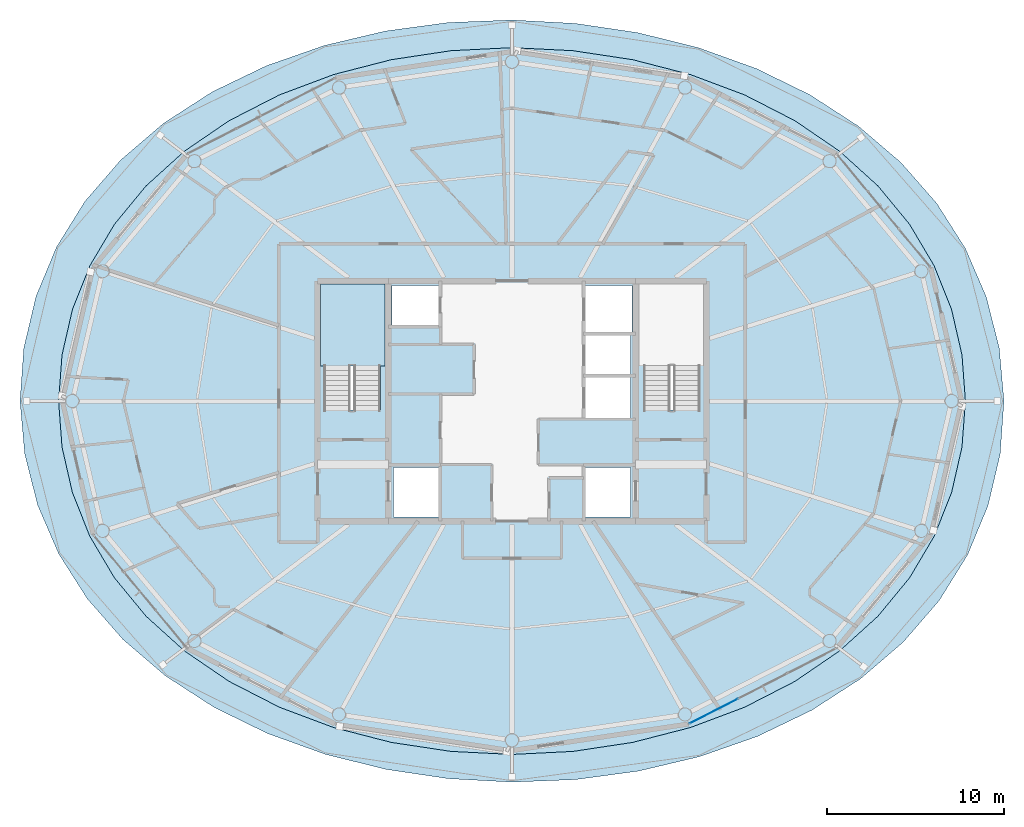
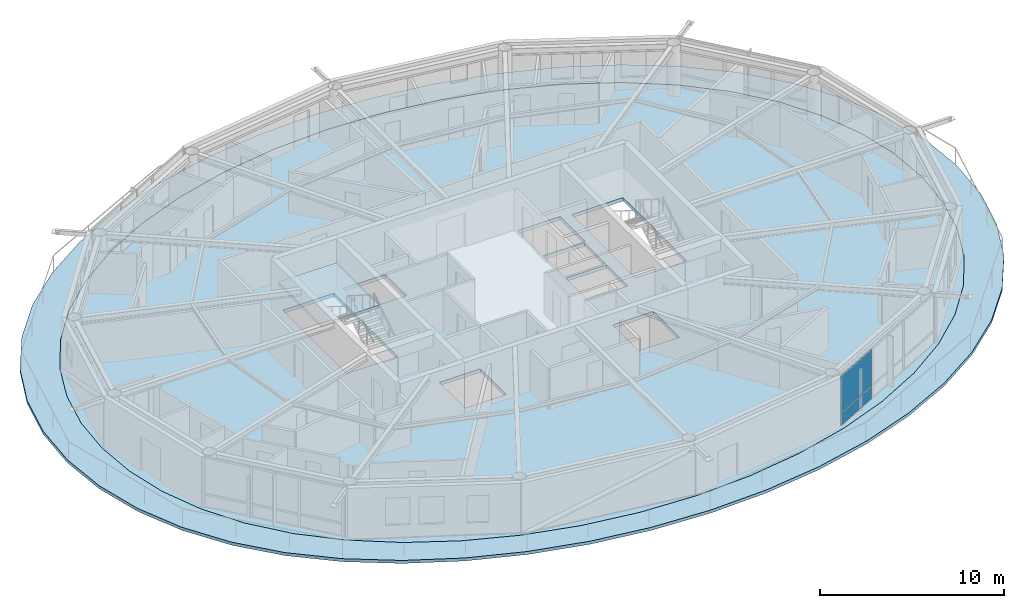
# One storey, part 13 of 22: 3 slabs, 2 plates, 2 elements without a shape of their own.
"""IFC4 building model written with IfcOpenShell, lengths in metres."""

from ifc_helpers import new_model, si_unit, direction, frame, origin, origin_2d, place, context, subcontext, project, spatial, polyline, rectangle, outline, extrude, material, layer, layer_set, type_object, element, aggregate, save


model = new_model("IFC4")

# Units and contexts
model_context = context("Model", 3, precision=1e-05, world=origin(), true_north=direction((0.0, 1.0)))
body_context = subcontext(model_context, "Body", "Model", "MODEL_VIEW")
ifc_project = project(units=[si_unit("LENGTHUNIT", "METRE"), si_unit("AREAUNIT", "SQUARE_METRE"), si_unit("VOLUMEUNIT", "CUBIC_METRE"), si_unit("PLANEANGLEUNIT", "RADIAN"), si_unit("MASSUNIT", "GRAM", prefix="KILO")], contexts=[model_context])

# Site, building, storey
site_placement = place(None, origin())
site = spatial("IfcSite", under=ifc_project, at=site_placement, CompositionType="ELEMENT")
building_placement = place(site_placement, origin())
building = spatial("IfcBuilding", under=site, at=building_placement, Name="Sarneth Arch Tower", CompositionType="ELEMENT")
storey_placement = place(building_placement, frame((0.0, 0.0, 287.39990234375)))
storey = spatial("IfcBuildingStorey", under=building, at=storey_placement, Name="L74", CompositionType="ELEMENT", Elevation=287.39990234375)

# Curtain wall, plates
ifc_material_1 = material(Name="Anodised aluminium Type AA25 and solar-control low-e laminated IGU", Category="aluminium")
ifc_layer_1 = layer(ifc_material_1, 0.179931640625)
ifc_layer_set_1 = layer_set([ifc_layer_1], Name="Anodised aluminium Type AA25 and solar-control low-e laminated IGU")
curtain_wall_type = type_object("IfcCurtainWallType", Name="CW-RES-HIGH", PredefinedType="NOTDEFINED", material=ifc_layer_set_1)
curtain_wall_placement = place(storey_placement, origin())
curtain_wall = element("IfcCurtainWall", 1, at=curtain_wall_placement, inside=storey, type_object=curtain_wall_type, Name="L74 Unitised curtain wall facet 14", PredefinedType="NOTDEFINED")
ifc_material_2 = material(Name="Solar-control low-e laminated IGU", Category="glass")
ifc_layer_2 = layer(ifc_material_2, 0.028076171875)
ifc_layer_set_2 = layer_set([ifc_layer_2], Name="Solar-control low-e laminated IGU")
plate_type = type_object("IfcPlateType", Name="CW-PANEL", PredefinedType="CURTAIN_PANEL", material=ifc_layer_set_2)
plate_1_placement = place(storey_placement, frame((59.4208984375, 24.447021484375, 0.06005859375), z_axis=(0.0, 0.0, 1.0), x_axis=(0.890009540525, 0.455941901753, 0.0)))
plate_1 = element("IfcPlate", 2, at=plate_1_placement, type_object=plate_type, Name="Curtain wall glazed vision pane CW-L74-F14/P00-00", PredefinedType="CURTAIN_PANEL", context=body_context, shape_type="SweptSolid", body=[
    extrude(rectangle(XDim=3.044677734375, YDim=0.028076171875, at=origin_2d()), origin(), (0.0, 0.0, 1.0), 0.81005859375),
])
plate_2_placement = place(storey_placement, frame((59.4208984375, 24.447021484375, 0.93017578125), z_axis=(0.0, 0.0, 1.0), x_axis=(0.890009540525, 0.455941901753, 0.0)))
plate_2 = element("IfcPlate", 3, at=plate_2_placement, type_object=plate_type, Name="Curtain wall glazed vision pane CW-L74-F14/P00-01", PredefinedType="CURTAIN_PANEL", context=body_context, shape_type="SweptSolid", body=[
    extrude(rectangle(XDim=3.044677734375, YDim=0.028076171875, at=origin_2d()), origin(), (0.0, 0.0, 1.0), 2.3798828125),
])
aggregate(curtain_wall, [plate_1, plate_2])

# Slab
ifc_material_3 = material(Name="Concrete C50/60", Category="concrete")
ifc_layer_3 = layer(ifc_material_3, 0.199951171875)
ifc_layer_set_3 = layer_set([ifc_layer_3], Name="Concrete C50/60")
slab_type_1 = type_object("IfcSlabType", Name="SLAB-BALC-200", PredefinedType="FLOOR", material=ifc_layer_set_3)
slab_1_placement = place(storey_placement, frame((0.0, 0.0, -0.199951171875)))
element("IfcSlab", 4, at=slab_1_placement, inside=storey, type_object=slab_type_1, Name="L74 Helical balcony band slab", PredefinedType="FLOOR", context=body_context, shape_type="SweptSolid", body=[
    extrude(outline(polyline([(75.844970703125, 42.0), (75.580078125, 44.988037109375), (74.84619140625, 47.8896484375), (73.658935546875, 50.639404296875), (72.038818359375, 53.189208984375), (70.01025390625, 55.504638671875), (67.603759765625, 57.560302734375), (64.8603515625, 59.33642578125), (61.83056640625, 60.817626953125), (58.5712890625, 61.990478515625), (55.1416015625, 62.844482421875), (51.599609375, 63.37158203125), (48.0, 63.56591796875), (44.39501953125, 63.42333984375), (40.83837890625, 62.94287109375), (37.38623046875, 62.1259765625), (34.099853515625, 60.97705078125), (31.04248046875, 59.50439453125), (28.275390625, 57.720703125), (25.854248046875, 55.6435546875), (23.823486328125, 53.2958984375), (22.217041015625, 50.708740234375), (21.0595703125, 47.923828125), (20.36865234375, 44.997314453125), (20.155029296875, 42.0), (20.419921875, 39.011962890625), (21.15380859375, 36.1103515625), (22.341064453125, 33.360595703125), (23.961181640625, 30.810791015625), (25.98974609375, 28.495361328125), (28.396240234375, 26.439697265625), (31.1396484375, 24.66357421875), (34.16943359375, 23.182373046875), (37.4287109375, 22.009521484375), (40.8583984375, 21.155517578125), (44.400390625, 20.62841796875), (48.0, 20.43408203125), (51.60498046875, 20.57666015625), (55.16162109375, 21.05712890625), (58.61376953125, 21.8740234375), (61.900146484375, 23.02294921875), (64.95751953125, 24.49560546875), (67.724609375, 26.279296875), (70.145751953125, 28.3564453125), (72.176513671875, 30.7041015625), (73.782958984375, 33.291259765625), (74.9404296875, 36.076171875), (75.63134765625, 39.002685546875), (75.844970703125, 42.0)]), holes=[polyline([(73.660888671875, 42.0), (73.466064453125, 44.610595703125), (72.87890625, 47.17626953125), (71.892822265625, 49.653564453125), (70.5029296875, 52.0), (68.712158203125, 54.17529296875), (66.536865234375, 56.14208984375), (64.009521484375, 57.8671875), (61.177001953125, 59.320556640625), (58.0966796875, 60.4775390625), (54.83203125, 61.318603515625), (51.44580078125, 61.828857421875), (48.0, 62.0), (44.55419921875, 61.828857421875), (41.16796875, 61.318603515625), (37.9033203125, 60.4775390625), (34.822998046875, 59.320556640625), (31.990478515625, 57.8671875), (29.463134765625, 56.14208984375), (27.287841796875, 54.17529296875), (25.4970703125, 52.0), (24.107177734375, 49.653564453125), (23.12109375, 47.17626953125), (22.533935546875, 44.610595703125), (22.339111328125, 42.0), (22.533935546875, 39.389404296875), (23.12109375, 36.82373046875), (24.107177734375, 34.346435546875), (25.4970703125, 32.0), (27.287841796875, 29.82470703125), (29.463134765625, 27.85791015625), (31.990478515625, 26.1328125), (34.822998046875, 24.679443359375), (37.9033203125, 23.5224609375), (41.16796875, 22.681396484375), (44.55419921875, 22.171142578125), (48.0, 22.0), (51.44580078125, 22.171142578125), (54.83203125, 22.681396484375), (58.0966796875, 23.5224609375), (61.177001953125, 24.679443359375), (64.009521484375, 26.1328125), (66.536865234375, 27.85791015625), (68.712158203125, 29.82470703125), (70.5029296875, 32.0), (71.892822265625, 34.346435546875), (72.87890625, 36.82373046875), (73.466064453125, 39.389404296875), (73.660888671875, 42.0)])]), origin(), (0.0, 0.0, 1.0), 0.199951171875),
])

# Stair, slab
ifc_material_4 = material(Name="Concrete C50/60", Category="concrete")
stair_type = type_object("IfcStairType", Name="STAIR-CORE-RC", PredefinedType="HALF_TURN_STAIR", material=ifc_material_4)
stair_placement = place(storey_placement, origin())
stair = element("IfcStair", 5, at=stair_placement, inside=storey, type_object=stair_type, Name="L74 Core Exit Stair 1", PredefinedType="HALF_TURN_STAIR")
ifc_material_5 = material(Name="Concrete C50/60", Category="concrete")
ifc_layer_4 = layer(ifc_material_5, 0.199951171875)
ifc_layer_set_4 = layer_set([ifc_layer_4], Name="Concrete C50/60")
slab_type_2 = type_object("IfcSlabType", Name="SLAB-LANDING-200", PredefinedType="LANDING", material=ifc_layer_set_4)
slab_2_placement = place(storey_placement, frame((0.0, 0.0, 1.60009765625)))
slab_2 = element("IfcSlab", 6, at=slab_2_placement, type_object=slab_type_2, Name="ST-1 landing 1", PredefinedType="LANDING", context=body_context, shape_type="SweptSolid", body=[
    extrude(outline(polyline([(37.175048828125, 43.985107421875), (40.824951171875, 43.985107421875), (40.824951171875, 48.625), (37.175048828125, 48.625), (37.175048828125, 43.985107421875)])), origin(), (0.0, 0.0, 1.0), 0.199951171875),
])
aggregate(stair, [slab_2])

# Slab
ifc_material_6 = material(Name="Concrete C50/60", Category="concrete")
ifc_layer_5 = layer(ifc_material_6, 0.22998046875)
ifc_layer_set_5 = layer_set([ifc_layer_5], Name="Concrete C50/60")
slab_type_3 = type_object("IfcSlabType", Name="SLAB-TOWER-230", PredefinedType="FLOOR", material=ifc_layer_set_5)
slab_3_placement = place(storey_placement, frame((0.0, 0.0, -0.22998046875)))
element("IfcSlab", 7, at=slab_3_placement, inside=storey, type_object=slab_type_3, Name="L74 Elliptical floor slab", PredefinedType="FLOOR", context=body_context, shape_type="SweptSolid", body=[
    extrude(outline(polyline([(73.660888671875, 42.0), (73.466064453125, 44.610595703125), (72.87890625, 47.17626953125), (71.892822265625, 49.653564453125), (70.5029296875, 52.0), (68.712158203125, 54.17529296875), (66.536865234375, 56.14208984375), (64.009521484375, 57.8671875), (61.177001953125, 59.320556640625), (58.0966796875, 60.4775390625), (54.83203125, 61.318603515625), (51.44580078125, 61.828857421875), (48.0, 62.0), (44.55419921875, 61.828857421875), (41.16796875, 61.318603515625), (37.9033203125, 60.4775390625), (34.822998046875, 59.320556640625), (31.990478515625, 57.8671875), (29.463134765625, 56.14208984375), (27.287841796875, 54.17529296875), (25.4970703125, 52.0), (24.107177734375, 49.653564453125), (23.12109375, 47.17626953125), (22.533935546875, 44.610595703125), (22.339111328125, 42.0), (22.533935546875, 39.389404296875), (23.12109375, 36.82373046875), (24.107177734375, 34.346435546875), (25.4970703125, 32.0), (27.287841796875, 29.82470703125), (29.463134765625, 27.85791015625), (31.990478515625, 26.1328125), (34.822998046875, 24.679443359375), (37.9033203125, 23.5224609375), (41.16796875, 22.681396484375), (44.55419921875, 22.171142578125), (48.0, 22.0), (51.44580078125, 22.171142578125), (54.83203125, 22.681396484375), (58.0966796875, 23.5224609375), (61.177001953125, 24.679443359375), (64.009521484375, 26.1328125), (66.536865234375, 27.85791015625), (68.712158203125, 29.82470703125), (70.5029296875, 32.0), (71.892822265625, 34.346435546875), (72.87890625, 36.82373046875), (73.466064453125, 39.389404296875), (73.660888671875, 42.0)]), holes=[polyline([(37.35009765625, 41.489990234375), (40.550048828125, 41.489990234375), (40.550048828125, 48.39990234375), (37.35009765625, 48.39990234375), (37.35009765625, 41.489990234375)]), polyline([(55.449951171875, 41.489990234375), (58.64990234375, 41.489990234375), (58.64990234375, 48.39990234375), (55.449951171875, 48.39990234375), (55.449951171875, 41.489990234375)]), polyline([(41.199951171875, 46.25), (43.85009765625, 46.25), (43.85009765625, 48.550048828125), (41.199951171875, 48.550048828125), (41.199951171875, 46.25)]), polyline([(41.300048828125, 35.449951171875), (43.85009765625, 35.449951171875), (43.85009765625, 38.25), (41.300048828125, 38.25), (41.300048828125, 35.449951171875)]), polyline([(52.14990234375, 35.449951171875), (54.699951171875, 35.449951171875), (54.699951171875, 38.25), (52.14990234375, 38.25), (52.14990234375, 35.449951171875)]), polyline([(52.14990234375, 45.85009765625), (54.800048828125, 45.85009765625), (54.800048828125, 48.550048828125), (52.14990234375, 48.550048828125), (52.14990234375, 45.85009765625)]), polyline([(52.14990234375, 41.050048828125), (54.699951171875, 41.050048828125), (54.699951171875, 43.35009765625), (52.14990234375, 43.35009765625), (52.14990234375, 41.050048828125)]), polyline([(52.14990234375, 43.5), (54.699951171875, 43.5), (54.699951171875, 45.75), (52.14990234375, 45.75), (52.14990234375, 43.5)])]), origin(), (0.0, 0.0, 1.0), 0.22998046875),
])

save(model, "model.ifc")
